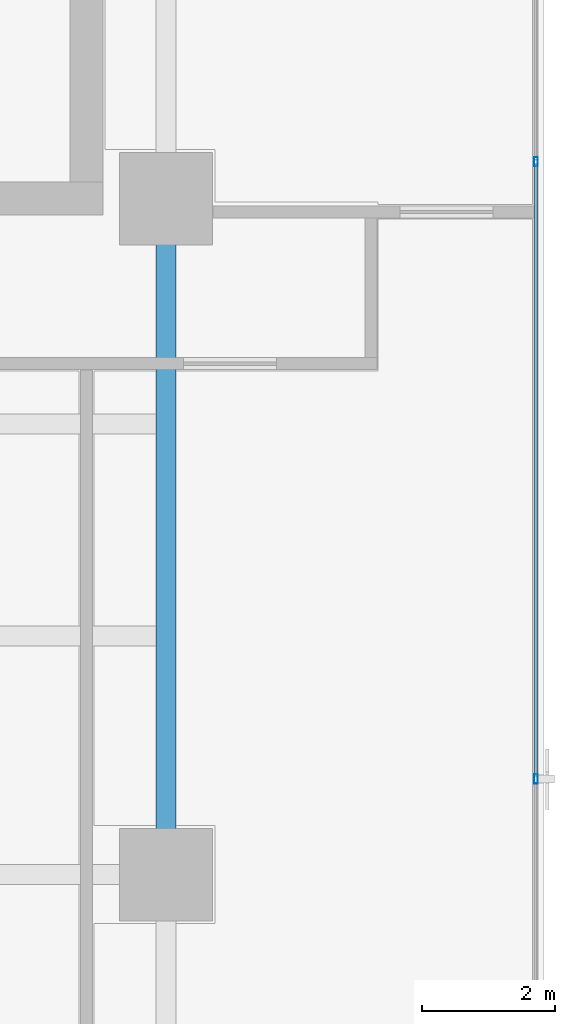
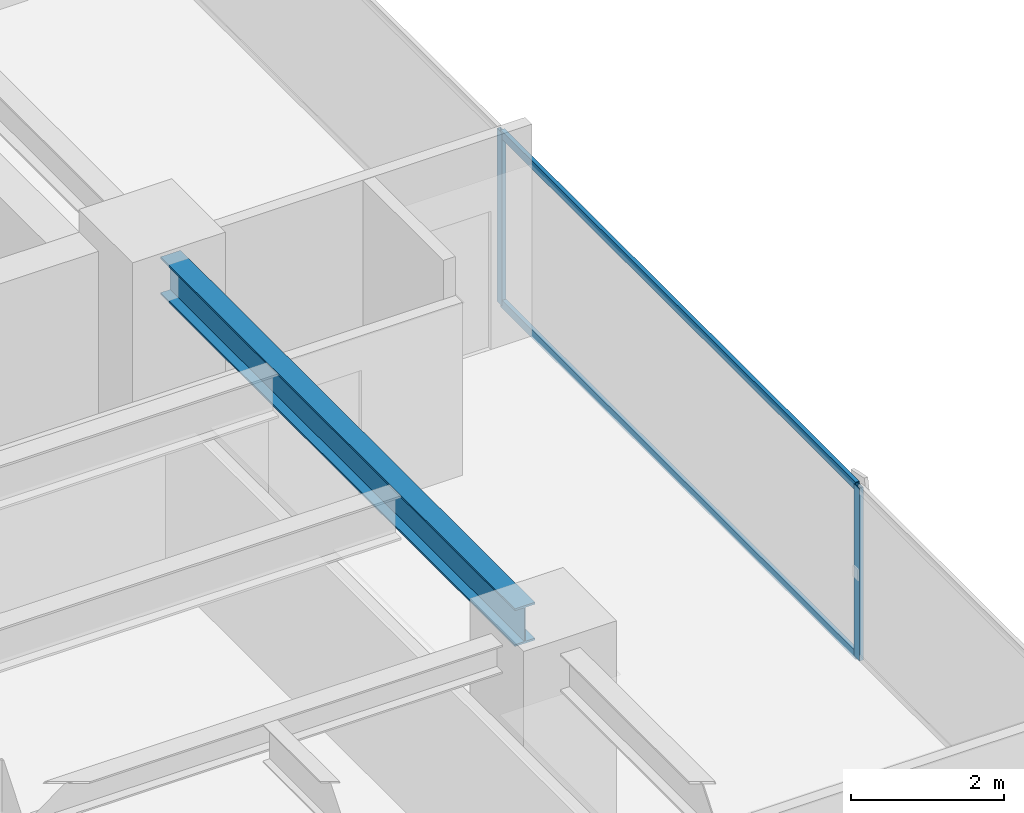
# One storey, part 13 of 26: 4 members, 1 beam, 1 element without a shape of its own.
"""IFC4 building model written with IfcOpenShell, lengths in metres."""

from ifc_helpers import new_model, si_unit, direction, frame, origin, origin_2d, place, context, subcontext, project, spatial, hollow_rectangle, i_section, extrude, source, transform, mapped, material, layer, layer_set, material_profile, profile_set, type_object, element, aggregate, save


model = new_model("IFC4")

# Units and contexts
model_context = context("Model", 3, precision=1e-05, world=origin(), true_north=direction((0.0, 1.0)))
body_context = subcontext(model_context, "Body", "Model", "MODEL_VIEW")
ifc_project = project(units=[si_unit("LENGTHUNIT", "METRE"), si_unit("AREAUNIT", "SQUARE_METRE"), si_unit("VOLUMEUNIT", "CUBIC_METRE"), si_unit("PLANEANGLEUNIT", "RADIAN"), si_unit("MASSUNIT", "GRAM", prefix="KILO")], contexts=[model_context])

# Site, building, storey
site_placement = place(None, origin())
site = spatial("IfcSite", under=ifc_project, at=site_placement, CompositionType="ELEMENT")
building_placement = place(site_placement, origin())
building = spatial("IfcBuilding", under=site, at=building_placement, Name="Sumidabori Civic Tower", CompositionType="ELEMENT")
storey_placement = place(building_placement, frame((0.0, 0.0, 264.800048828125)))
storey = spatial("IfcBuildingStorey", under=building, at=storey_placement, Name="L69", CompositionType="ELEMENT", Elevation=264.800048828125)

# Beam
ifc_material_1 = material(Name="Steel SN490", Category="steel")
ifc_material_profile_1 = material_profile(ifc_material_1, i_section(OverallWidth=0.300048828125, OverallDepth=0.60009765625, WebThickness=0.015380859375, FlangeThickness=0.030029296875, at=origin_2d()), Name="HE 600 B")
ifc_profile_set_1 = profile_set([ifc_material_profile_1], Name="Steel SN490")
beam_type = type_object("IfcBeamType", Name="BM-GIRD-600", PredefinedType="BEAM", material=ifc_profile_set_1)
shared_shape_1 = source(origin(), body_context, "Body", "SweptSolid", [
    extrude(i_section(OverallWidth=0.300048828125, OverallDepth=0.60009765625, WebThickness=0.015380859375, FlangeThickness=0.030029296875, at=origin_2d()), origin(), (0.0, 0.0, 1.0), 9.239990234375),
])
beam_placement = place(storey_placement, frame((16.800048828125, 0.47998046875, 3.070068359375), z_axis=(0.0, 1.0, 0.0), x_axis=(-1.0, 0.0, 0.0)))
element("IfcBeam", 1, at=beam_placement, inside=storey, type_object=beam_type, Name="Primary Girder L69 GY-16", PredefinedType="BEAM", context=body_context, shape_type="MappedRepresentation", body=[
    mapped(shared_shape_1, transform((0.0, 0.0, 0.0), x_axis=(1.0, 0.0, 0.0), y_axis=(0.0, 1.0, 0.0), z_axis=(0.0, 0.0, 1.0), scale=1.0)),
])

# Curtain wall, members
ifc_material_2 = material(Name="Anodised Bronze Aluminium AW-6063-T6", Category="aluminium")
ifc_layer = layer(ifc_material_2, 0.179931640625, Name="Anodised Bronze Aluminium AW-6063-T6")
ifc_layer_set = layer_set([ifc_layer], Name="Anodised Bronze Aluminium AW-6063-T6")
curtain_wall_type = type_object("IfcCurtainWallType", Name="CW-SYS-5", PredefinedType="NOTDEFINED", material=ifc_layer_set)
curtain_wall_placement = place(storey_placement, origin())
curtain_wall = element("IfcCurtainWall", 2, at=curtain_wall_placement, inside=storey, type_object=curtain_wall_type, Name="Curtain Wall CW:L69:R04", PredefinedType="NOTDEFINED")
ifc_material_profile_2 = material_profile(ifc_material_2, hollow_rectangle(XDim=0.06005859375, YDim=0.139892578125, WallThickness=0.0048828125, at=origin_2d()), Name="ALU MULLION 140x60")
ifc_profile_set_2 = profile_set([ifc_material_profile_2], Name="Anodised Bronze Aluminium AW-6063-T6")
member_type_1 = type_object("IfcMemberType", Name="CW-MUL-140", PredefinedType="MULLION", material=ifc_profile_set_2)
shared_shape_2 = source(origin(), body_context, "Body", "SweptSolid", [
    extrude(hollow_rectangle(XDim=0.06005859375, YDim=0.139892578125, WallThickness=0.0048828125, at=origin_2d()), origin(), (0.0, 0.0, 1.0), 2.75),
])
member_1_placement = place(storey_placement, frame((22.3798828125, 1.443359375, 0.0), z_axis=(0.0, 0.0, 1.0), x_axis=(-1.0, 0.0, 0.0)))
member_1 = element("IfcMember", 3, at=member_1_placement, type_object=member_type_1, Name="CW-5 mullion 2", PredefinedType="MULLION", context=body_context, shape_type="MappedRepresentation", body=[
    mapped(shared_shape_2, transform((0.0, 0.0, 0.0), x_axis=(1.0, 0.0, 0.0), y_axis=(0.0, 1.0, 0.0), z_axis=(0.0, 0.0, 1.0), scale=1.0)),
])
member_2_placement = place(storey_placement, frame((22.3798828125, 10.756591796875, 0.0), z_axis=(0.0, 0.0, 1.0), x_axis=(-1.0, 0.0, 0.0)))
member_2 = element("IfcMember", 4, at=member_2_placement, type_object=member_type_1, Name="CW-5 mullion 3", PredefinedType="MULLION", context=body_context, shape_type="MappedRepresentation", body=[
    mapped(shared_shape_2, transform((0.0, 0.0, 0.0), x_axis=(1.0, 0.0, 0.0), y_axis=(0.0, 1.0, 0.0), z_axis=(0.0, 0.0, 1.0), scale=1.0)),
])
ifc_material_profile_3 = material_profile(ifc_material_2, hollow_rectangle(XDim=0.06005859375, YDim=0.1298828125, WallThickness=0.0048828125, at=origin_2d()), Name="ALU TRANSOM 130x60")
ifc_profile_set_3 = profile_set([ifc_material_profile_3], Name="Anodised Bronze Aluminium AW-6063-T6")
member_type_2 = type_object("IfcMemberType", Name="CW-TRN-130", PredefinedType="USERDEFINED", material=ifc_profile_set_3)
shared_shape_3 = source(origin(), body_context, "Body", "SweptSolid", [
    extrude(hollow_rectangle(XDim=0.06005859375, YDim=0.1298828125, WallThickness=0.0048828125, at=origin_2d()), origin(), (0.0, 0.0, 1.0), 9.253173828125),
])
member_3_placement = place(storey_placement, frame((22.3798828125, 1.473388671875, 0.030029296875), z_axis=(0.0, 1.0, 0.0), x_axis=(-1.0, 0.0, 0.0)))
member_3 = element("IfcMember", 5, at=member_3_placement, type_object=member_type_2, Name="CW-5 transom 2.1", ObjectType="TRANSOM", PredefinedType="USERDEFINED", context=body_context, shape_type="MappedRepresentation", body=[
    mapped(shared_shape_3, transform((0.0, 0.0, 0.0), x_axis=(1.0, 0.0, 0.0), y_axis=(0.0, 1.0, 0.0), z_axis=(0.0, 0.0, 1.0), scale=1.0)),
])
member_4_placement = place(storey_placement, frame((22.3798828125, 1.473388671875, 2.719970703125), z_axis=(0.0, 1.0, 0.0), x_axis=(-1.0, 0.0, 0.0)))
member_4 = element("IfcMember", 6, at=member_4_placement, type_object=member_type_2, Name="CW-5 transom 2.2", ObjectType="TRANSOM", PredefinedType="USERDEFINED", context=body_context, shape_type="MappedRepresentation", body=[
    mapped(shared_shape_3, transform((0.0, 0.0, 0.0), x_axis=(1.0, 0.0, 0.0), y_axis=(0.0, 1.0, 0.0), z_axis=(0.0, 0.0, 1.0), scale=1.0)),
])
aggregate(curtain_wall, [member_1, member_2, member_3, member_4])

save(model, "model.ifc")
